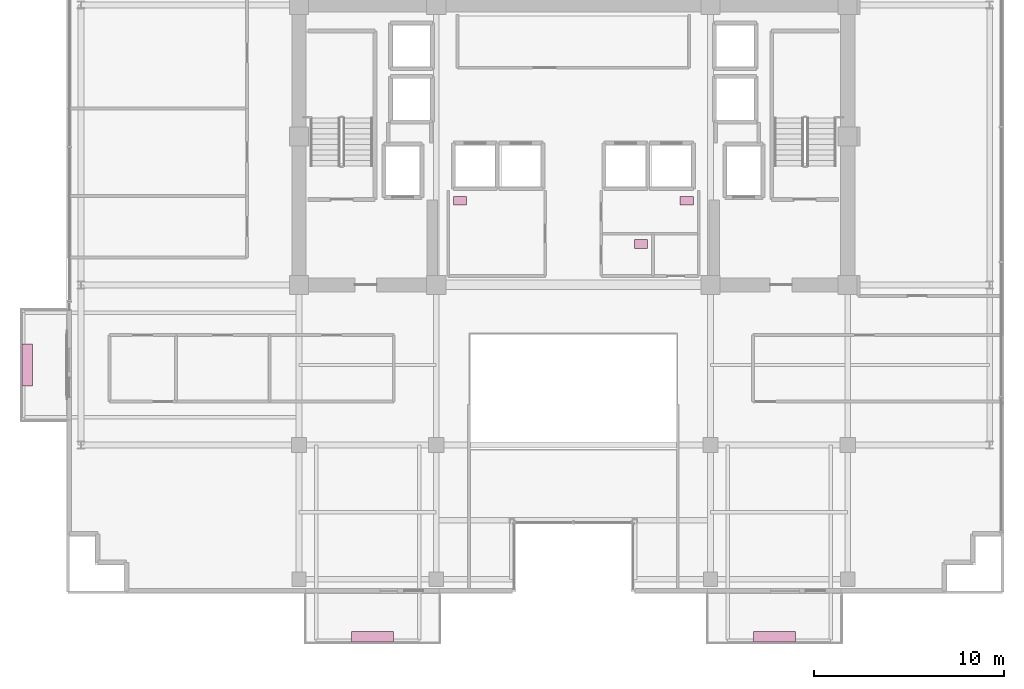
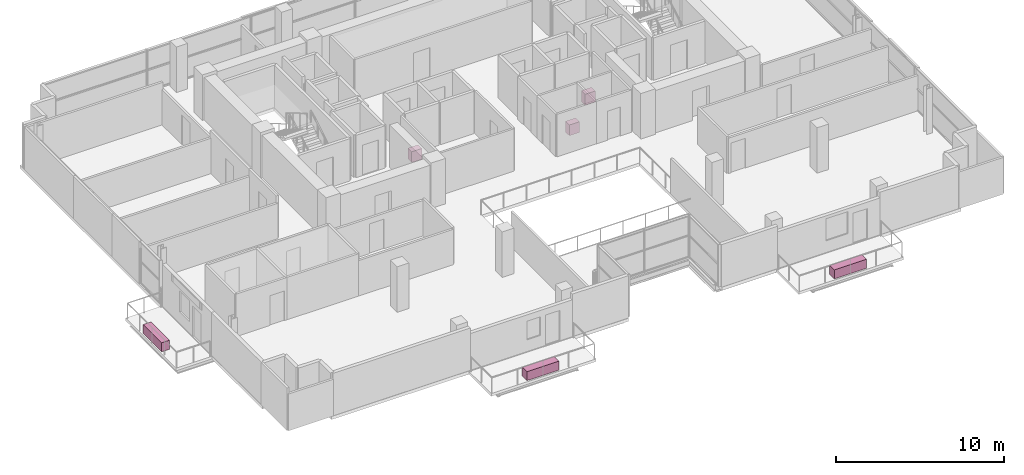
# One storey, part 21 of 21: 6 furnishings.
"""IFC4 building model written with IfcOpenShell, lengths in metres."""

from ifc_helpers import new_model, si_unit, direction, frame, origin, origin_2d, place, context, subcontext, project, spatial, rectangle, extrude, source, transform, mapped, material, type_object, element, save


model = new_model("IFC4")

# Units and contexts
model_context = context("Model", 3, precision=1e-05, world=origin(), true_north=direction((0.0, 1.0)))
body_context = subcontext(model_context, "Body", "Model", "MODEL_VIEW")
ifc_project = project(units=[si_unit("LENGTHUNIT", "METRE"), si_unit("AREAUNIT", "SQUARE_METRE"), si_unit("VOLUMEUNIT", "CUBIC_METRE"), si_unit("PLANEANGLEUNIT", "RADIAN"), si_unit("MASSUNIT", "GRAM", prefix="KILO")], contexts=[model_context])

# Site, building, storey
site_placement = place(None, origin())
site = spatial("IfcSite", under=ifc_project, at=site_placement, CompositionType="ELEMENT")
building_placement = place(site_placement, origin())
building = spatial("IfcBuilding", under=site, at=building_placement, Name="Zarnakvel Exchange Tower", CompositionType="ELEMENT")
storey_placement = place(building_placement, frame((0.0, 0.0, 166.0)))
storey = spatial("IfcBuildingStorey", under=building, at=storey_placement, Name="L46", CompositionType="ELEMENT", Elevation=166.0)

# Furnishings
ifc_material_1 = material(Name="Architectural Bronze Anodised Aluminium", Category="aluminium")
furnishing_element_type_1 = type_object("IfcFurnishingElementType", Name="PLNT-01", material=ifc_material_1)
shared_shape_1 = source(origin(), body_context, "Body", "SweptSolid", [
    extrude(rectangle(XDim=2.199951171875, YDim=0.550048828125, at=origin_2d()), origin(), (0.0, 0.0, 1.0), 0.64990234375),
])
for number, where, z_axis, x_axis, name in (
    (1, (-10.550048828125, -19.669921875, -0.034912109375), (0.0, 0.0, 1.0), (1.0, 0.0, 0.0), "L46 Balcony Greenery Planter BAL-L46-SW"),
    (2, (10.550048828125, -19.669921875, -0.034912109375), (0.0, 0.0, 1.0), (1.0, 0.0, 0.0), "L46 Balcony Greenery Planter BAL-L46-SE"),
    (3, (-28.669921875, -5.39990234375, -0.034912109375), (0.0, 0.0, 1.0), (0.0, 1.0, 0.0), "L46 Balcony Greenery Planter BAL-L46-W"),
):
    element("IfcFurnishingElement", number, at=place(storey_placement, frame(where, z_axis=z_axis, x_axis=x_axis)), inside=storey, type_object=furnishing_element_type_1, Name=name, ObjectType="PLANTER", context=body_context, shape_type="MappedRepresentation", body=[
        mapped(shared_shape_1, transform((0.0, 0.0, 0.0), x_axis=(1.0, 0.0, 0.0), y_axis=(0.0, 1.0, 0.0), z_axis=(0.0, 0.0, 1.0), scale=1.0)),
    ])
ifc_material_2 = material(Name="Vitreous China Sanitaryware", Category="ceramic")
furnishing_element_type_2 = type_object("IfcFurnishingElementType", Name="SAN-WC", material=ifc_material_2)
shared_shape_2 = source(origin(), body_context, "Body", "SweptSolid", [
    extrude(rectangle(XDim=0.699951171875, YDim=0.449951171875, at=origin_2d()), origin(), (0.0, 0.0, 1.0), 0.780029296875),
])
for number, where, z_axis, x_axis, name in (
    (4, (-5.949951171875, 3.22998046875, 0.0), (0.0, 0.0, 1.0), (1.0, 0.0, 0.0), "L46 Sanitary Fixture (Male Toilet)"),
    (5, (5.949951171875, 3.22998046875, 0.0), (0.0, 0.0, 1.0), (1.0, 0.0, 0.0), "L46 Sanitary Fixture (Female Toilet)"),
    (6, (3.550048828125, 0.949951171875, 0.0), (0.0, 0.0, 1.0), (1.0, 0.0, 0.0), "L46 Sanitary Fixture (Accessible Toilet)"),
):
    element("IfcFurnishingElement", number, at=place(storey_placement, frame(where, z_axis=z_axis, x_axis=x_axis)), inside=storey, type_object=furnishing_element_type_2, Name=name, ObjectType="SANITARY_FIXTURE", context=body_context, shape_type="MappedRepresentation", body=[
        mapped(shared_shape_2, transform((0.0, 0.0, 0.0), x_axis=(1.0, 0.0, 0.0), y_axis=(0.0, 1.0, 0.0), z_axis=(0.0, 0.0, 1.0), scale=1.0)),
    ])

save(model, "model.ifc")
